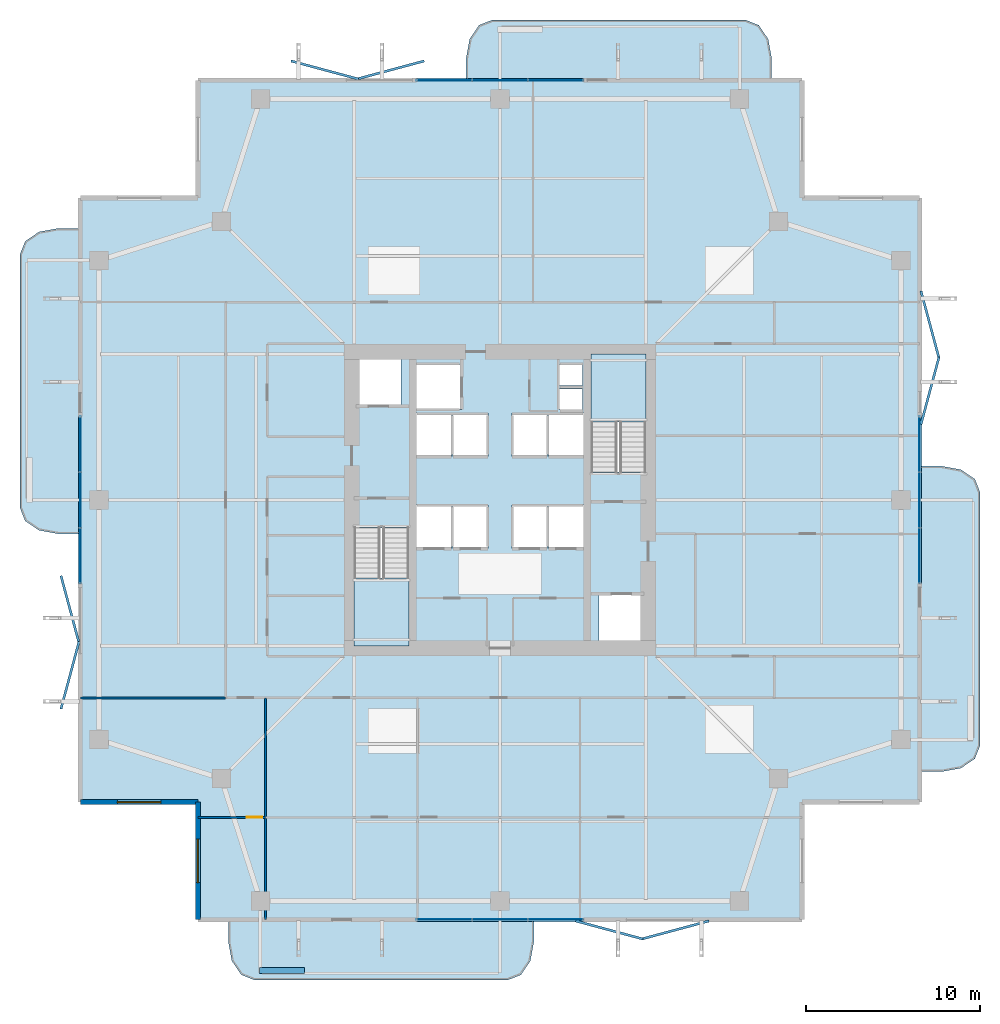
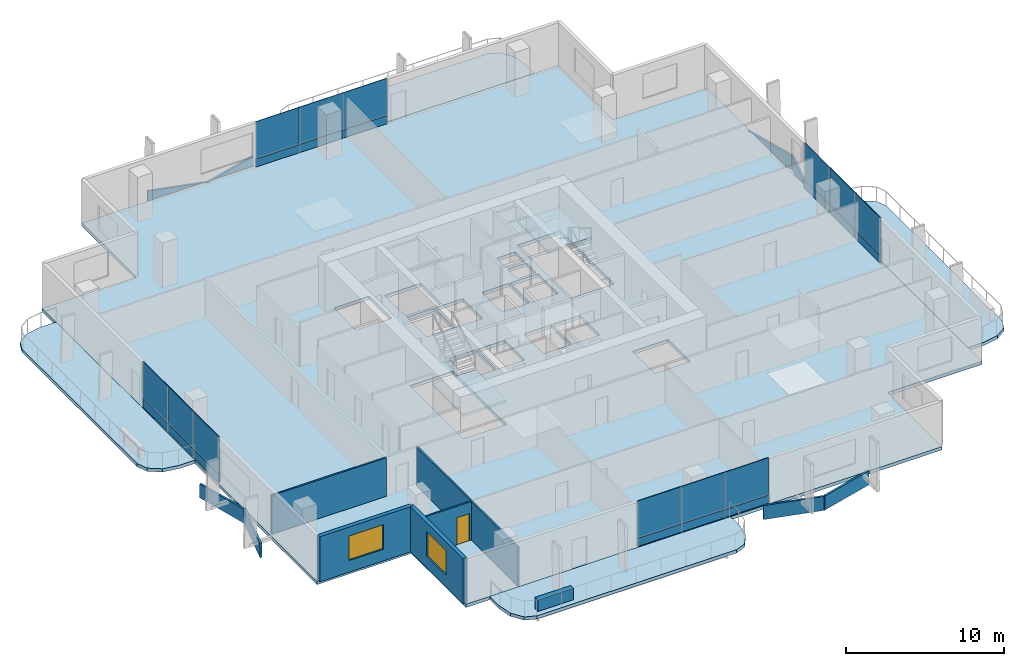
# One storey, part 18 of 25: 32 plates, 7 slabs, 6 walls, 2 windows, 1 door, 3 openings, 6 elements without a shape of their own.
"""IFC4 building model written with IfcOpenShell, lengths in metres."""

from ifc_helpers import new_model, si_unit, direction, frame, frame_2d, origin, origin_2d, place, context, subcontext, project, spatial, polyline, rectangle, outline, extrude, material, layer, layer_set, type_object, element, fill, aggregate, save


model = new_model("IFC4")

# Units and contexts
model_context = context("Model", 3, precision=1e-05, world=origin(), true_north=direction((0.0, 1.0)))
body_context = subcontext(model_context, "Body", "Model", "MODEL_VIEW")
ifc_project = project(units=[si_unit("LENGTHUNIT", "METRE"), si_unit("AREAUNIT", "SQUARE_METRE"), si_unit("VOLUMEUNIT", "CUBIC_METRE"), si_unit("PLANEANGLEUNIT", "RADIAN"), si_unit("MASSUNIT", "GRAM", prefix="KILO")], contexts=[model_context])

# Site, building, storey
site_placement = place(None, origin())
site = spatial("IfcSite", under=ifc_project, at=site_placement, CompositionType="ELEMENT")
building_placement = place(site_placement, origin())
building = spatial("IfcBuilding", under=site, at=building_placement, Name="Belovzor Exchange Tower", CompositionType="ELEMENT")
storey_placement = place(building_placement, frame((0.0, 0.0, 149.550048828125)))
storey = spatial("IfcBuildingStorey", under=building, at=storey_placement, Name="L36", CompositionType="ELEMENT", Elevation=149.550048828125)

# Slab
ifc_material_1 = material(Name="Concrete C40/50", Category="concrete")
ifc_layer_1 = layer(ifc_material_1, 0.2548828125)
ifc_layer_set_1 = layer_set([ifc_layer_1], Name="Concrete C40/50")
slab_type_1 = type_object("IfcSlabType", Name="Composite Waist Floor Deck Slab 255", PredefinedType="FLOOR", material=ifc_layer_set_1)
slab_1_placement = place(storey_placement, frame((0.0, 0.0, -0.255126953125)))
element("IfcSlab", 1, at=slab_1_placement, inside=storey, type_object=slab_type_1, Name="SL-F255 Structural Slab L36", PredefinedType="FLOOR", context=body_context, shape_type="SweptSolid", body=[
    extrude(outline(polyline([(11.39990234375, 4.5), (46.199951171875, 4.5), (46.199951171875, 11.39990234375), (53.10009765625, 11.39990234375), (53.10009765625, 46.199951171875), (46.199951171875, 46.199951171875), (46.199951171875, 53.10009765625), (11.39990234375, 53.10009765625), (11.39990234375, 46.199951171875), (4.5, 46.199951171875), (4.5, 11.39990234375), (11.39990234375, 11.39990234375), (11.39990234375, 4.5)]), holes=[polyline([(20.39990234375, 27.175048828125), (20.39990234375, 20.39990234375), (23.550048828125, 20.39990234375), (23.550048828125, 27.175048828125), (20.39990234375, 27.175048828125)]), polyline([(37.199951171875, 30.425048828125), (37.199951171875, 37.199951171875), (34.050048828125, 37.199951171875), (34.050048828125, 30.425048828125), (37.199951171875, 30.425048828125)]), polyline([(20.5, 34.199951171875), (23.10009765625, 34.199951171875), (23.10009765625, 37.0), (20.5, 37.0), (20.5, 34.199951171875)]), polyline([(34.5, 20.60009765625), (37.10009765625, 20.60009765625), (37.10009765625, 23.39990234375), (34.5, 23.39990234375), (34.5, 20.60009765625)]), polyline([(24.0, 34.0), (26.60009765625, 34.0), (26.60009765625, 36.60009765625), (24.0, 36.60009765625), (24.0, 34.0)]), polyline([(24.0, 26.0), (26.0, 26.0), (26.0, 28.5), (24.0, 28.5), (24.0, 26.0)]), polyline([(26.10009765625, 26.0), (28.10009765625, 26.0), (28.10009765625, 28.5), (26.10009765625, 28.5), (26.10009765625, 26.0)]), polyline([(29.5, 26.0), (31.5, 26.0), (31.5, 28.5), (29.5, 28.5), (29.5, 26.0)]), polyline([(31.60009765625, 26.0), (33.60009765625, 26.0), (33.60009765625, 28.5), (31.60009765625, 28.5), (31.60009765625, 26.0)]), polyline([(24.0, 31.300048828125), (26.0, 31.300048828125), (26.0, 33.800048828125), (24.0, 33.800048828125), (24.0, 31.300048828125)]), polyline([(26.10009765625, 31.300048828125), (28.10009765625, 31.300048828125), (28.10009765625, 33.800048828125), (26.10009765625, 33.800048828125), (26.10009765625, 31.300048828125)]), polyline([(29.5, 31.300048828125), (31.5, 31.300048828125), (31.5, 33.800048828125), (29.5, 33.800048828125), (29.5, 31.300048828125)]), polyline([(31.60009765625, 31.300048828125), (33.60009765625, 31.300048828125), (33.60009765625, 33.800048828125), (31.60009765625, 33.800048828125), (31.60009765625, 31.300048828125)]), polyline([(32.199951171875, 34.0), (33.550048828125, 34.0), (33.550048828125, 35.199951171875), (32.199951171875, 35.199951171875), (32.199951171875, 34.0)]), polyline([(32.199951171875, 35.39990234375), (33.550048828125, 35.39990234375), (33.550048828125, 36.60009765625), (32.199951171875, 36.60009765625), (32.199951171875, 35.39990234375)])]), origin(), (0.0, 0.0, 1.0), 0.255126953125),
])

# Curtain wall, plates
ifc_material_2 = material(Name="Anodised Aluminium Framing", Category="aluminium")
ifc_layer_2 = layer(ifc_material_2, 0.179931640625)
ifc_layer_set_2 = layer_set([ifc_layer_2], Name="Anodised Aluminium Framing")
curtain_wall_type = type_object("IfcCurtainWallType", Name="Recessed Loggia Low-Iron Triple-Glazed Curtain Wall", PredefinedType="NOTDEFINED", material=ifc_layer_set_2)
curtain_wall_1_placement = place(storey_placement, origin())
curtain_wall_1 = element("IfcCurtainWall", 2, at=curtain_wall_1_placement, inside=storey, type_object=curtain_wall_type, Name="CW3 Recessed Loggia Low-Iron Triple-Glazed Curtain Wall L36", PredefinedType="NOTDEFINED")
ifc_material_3 = material(Name="Solar-Control Triple Glazing", Category="glass")
ifc_layer_3 = layer(ifc_material_3, 0.0439453125)
ifc_layer_set_3 = layer_set([ifc_layer_3], Name="Solar-Control Triple Glazing")
plate_type_1 = type_object("IfcPlateType", Name="Insulated Solar Glazing Curtain Panel 44", PredefinedType="CURTAIN_PANEL", material=ifc_layer_set_3)
plate_1_placement = place(storey_placement, frame((32.0, 4.6298828125, 0.630859375), z_axis=(0.0, 0.0, 1.0), x_axis=(-1.0, 0.0, 0.0)))
plate_1 = element("IfcPlate", 3, at=plate_1_placement, type_object=plate_type_1, Name="GLZ-44 Glazed Curtain Panel 1", PredefinedType="CURTAIN_PANEL", context=body_context, shape_type="SweptSolid", body=[
    extrude(rectangle(XDim=3.18408203125, YDim=0.0439453125, at=origin_2d()), origin(), (0.0, 0.0, 1.0), 2.864013671875),
])
plate_2_placement = place(storey_placement, frame((28.800048828125, 4.6298828125, 0.630859375), z_axis=(0.0, 0.0, 1.0), x_axis=(-1.0, 0.0, 0.0)))
plate_2 = element("IfcPlate", 4, at=plate_2_placement, type_object=plate_type_1, Name="GLZ-44 Glazed Curtain Panel 2", PredefinedType="CURTAIN_PANEL", context=body_context, shape_type="SweptSolid", body=[
    extrude(rectangle(XDim=3.18408203125, YDim=0.0439453125, at=origin_2d()), origin(), (0.0, 0.0, 1.0), 2.864013671875),
])
plate_3_placement = place(storey_placement, frame((25.60009765625, 4.6298828125, 0.630859375), z_axis=(0.0, 0.0, 1.0), x_axis=(-1.0, 0.0, 0.0)))
plate_3 = element("IfcPlate", 5, at=plate_3_placement, type_object=plate_type_1, Name="GLZ-44 Glazed Curtain Panel 3", PredefinedType="CURTAIN_PANEL", context=body_context, shape_type="SweptSolid", body=[
    extrude(rectangle(XDim=3.18408203125, YDim=0.0439453125, at=origin_2d()), origin(), (0.0, 0.0, 1.0), 2.864013671875),
])

curtain_wall_2_placement = place(storey_placement, origin())
curtain_wall_2 = element("IfcCurtainWall", 6, at=curtain_wall_2_placement, inside=storey, type_object=curtain_wall_type, Name="CW3 Recessed Loggia Low-Iron Triple-Glazed Curtain Wall L36", PredefinedType="NOTDEFINED")
plate_4_placement = place(storey_placement, frame((25.60009765625, 52.969970703125, 0.630859375), z_axis=(0.0, 0.0, 1.0), x_axis=(1.0, 0.0, 0.0)))
plate_4 = element("IfcPlate", 7, at=plate_4_placement, type_object=plate_type_1, Name="GLZ-44 Glazed Curtain Panel 1", PredefinedType="CURTAIN_PANEL", context=body_context, shape_type="SweptSolid", body=[
    extrude(rectangle(XDim=3.18408203125, YDim=0.0439453125, at=origin_2d()), origin(), (0.0, 0.0, 1.0), 2.864013671875),
])
plate_5_placement = place(storey_placement, frame((28.800048828125, 52.969970703125, 0.630859375), z_axis=(0.0, 0.0, 1.0), x_axis=(1.0, 0.0, 0.0)))
plate_5 = element("IfcPlate", 8, at=plate_5_placement, type_object=plate_type_1, Name="GLZ-44 Glazed Curtain Panel 2", PredefinedType="CURTAIN_PANEL", context=body_context, shape_type="SweptSolid", body=[
    extrude(rectangle(XDim=3.18408203125, YDim=0.0439453125, at=origin_2d()), origin(), (0.0, 0.0, 1.0), 2.864013671875),
])
plate_6_placement = place(storey_placement, frame((32.0, 52.969970703125, 0.630859375), z_axis=(0.0, 0.0, 1.0), x_axis=(1.0, 0.0, 0.0)))
plate_6 = element("IfcPlate", 9, at=plate_6_placement, type_object=plate_type_1, Name="GLZ-44 Glazed Curtain Panel 3", PredefinedType="CURTAIN_PANEL", context=body_context, shape_type="SweptSolid", body=[
    extrude(rectangle(XDim=3.18408203125, YDim=0.0439453125, at=origin_2d()), origin(), (0.0, 0.0, 1.0), 2.864013671875),
])

curtain_wall_3_placement = place(storey_placement, origin())
curtain_wall_3 = element("IfcCurtainWall", 10, at=curtain_wall_3_placement, inside=storey, type_object=curtain_wall_type, Name="CW3 Recessed Loggia Low-Iron Triple-Glazed Curtain Wall L36", PredefinedType="NOTDEFINED")
plate_7_placement = place(storey_placement, frame((4.6298828125, 25.60009765625, 0.630859375), z_axis=(0.0, 0.0, 1.0), x_axis=(0.0, 1.0, 0.0)))
plate_7 = element("IfcPlate", 11, at=plate_7_placement, type_object=plate_type_1, Name="GLZ-44 Glazed Curtain Panel 1", PredefinedType="CURTAIN_PANEL", context=body_context, shape_type="SweptSolid", body=[
    extrude(rectangle(XDim=3.18408203125, YDim=0.0439453125, at=origin_2d()), origin(), (0.0, 0.0, 1.0), 2.864013671875),
])
plate_8_placement = place(storey_placement, frame((4.6298828125, 28.800048828125, 0.630859375), z_axis=(0.0, 0.0, 1.0), x_axis=(0.0, 1.0, 0.0)))
plate_8 = element("IfcPlate", 12, at=plate_8_placement, type_object=plate_type_1, Name="GLZ-44 Glazed Curtain Panel 2", PredefinedType="CURTAIN_PANEL", context=body_context, shape_type="SweptSolid", body=[
    extrude(rectangle(XDim=3.18408203125, YDim=0.0439453125, at=origin_2d()), origin(), (0.0, 0.0, 1.0), 2.864013671875),
])
plate_9_placement = place(storey_placement, frame((4.6298828125, 32.0, 0.630859375), z_axis=(0.0, 0.0, 1.0), x_axis=(0.0, 1.0, 0.0)))
plate_9 = element("IfcPlate", 13, at=plate_9_placement, type_object=plate_type_1, Name="GLZ-44 Glazed Curtain Panel 3", PredefinedType="CURTAIN_PANEL", context=body_context, shape_type="SweptSolid", body=[
    extrude(rectangle(XDim=3.18408203125, YDim=0.0439453125, at=origin_2d()), origin(), (0.0, 0.0, 1.0), 2.864013671875),
])

curtain_wall_4_placement = place(storey_placement, origin())
curtain_wall_4 = element("IfcCurtainWall", 14, at=curtain_wall_4_placement, inside=storey, type_object=curtain_wall_type, Name="CW3 Recessed Loggia Low-Iron Triple-Glazed Curtain Wall L36", PredefinedType="NOTDEFINED")
plate_10_placement = place(storey_placement, frame((52.969970703125, 32.0, 0.630859375), z_axis=(0.0, 0.0, 1.0), x_axis=(0.0, -1.0, 0.0)))
plate_10 = element("IfcPlate", 15, at=plate_10_placement, type_object=plate_type_1, Name="GLZ-44 Glazed Curtain Panel 1", PredefinedType="CURTAIN_PANEL", context=body_context, shape_type="SweptSolid", body=[
    extrude(rectangle(XDim=3.18408203125, YDim=0.0439453125, at=origin_2d()), origin(), (0.0, 0.0, 1.0), 2.864013671875),
])
plate_11_placement = place(storey_placement, frame((52.969970703125, 28.800048828125, 0.630859375), z_axis=(0.0, 0.0, 1.0), x_axis=(0.0, -1.0, 0.0)))
plate_11 = element("IfcPlate", 16, at=plate_11_placement, type_object=plate_type_1, Name="GLZ-44 Glazed Curtain Panel 2", PredefinedType="CURTAIN_PANEL", context=body_context, shape_type="SweptSolid", body=[
    extrude(rectangle(XDim=3.18408203125, YDim=0.0439453125, at=origin_2d()), origin(), (0.0, 0.0, 1.0), 2.864013671875),
])
plate_12_placement = place(storey_placement, frame((52.969970703125, 25.60009765625, 0.630859375), z_axis=(0.0, 0.0, 1.0), x_axis=(0.0, -1.0, 0.0)))
plate_12 = element("IfcPlate", 17, at=plate_12_placement, type_object=plate_type_1, Name="GLZ-44 Glazed Curtain Panel 3", PredefinedType="CURTAIN_PANEL", context=body_context, shape_type="SweptSolid", body=[
    extrude(rectangle(XDim=3.18408203125, YDim=0.0439453125, at=origin_2d()), origin(), (0.0, 0.0, 1.0), 2.864013671875),
])

# Plates
ifc_material_4 = material(Name="Extruded Architectural Terracotta", Category="masonry")
ifc_layer_4 = layer(ifc_material_4, 0.139892578125)
ifc_layer_set_4 = layer_set([ifc_layer_4], Name="Extruded Architectural Terracotta")
plate_type_2 = type_object("IfcPlateType", Name="Mid-Tower Folded Zigzag Terracotta Spandrel Louvre 120", PredefinedType="USERDEFINED", material=ifc_layer_set_4)
for number, where, z_axis, x_axis, name in (
    (18, (18.699951171875, 53.570068359375, -1.065185546875), (0.0, 0.0, 1.0), (0.965812803231, -0.259240485101, 0.0), "LVR-ZZ2 Zigzag Terracotta Spandrel Louvre L36 N1A"),
    (19, (22.5, 53.570068359375, -1.065185546875), (0.0, 0.0, 1.0), (0.965812803231, 0.259240485101, 0.0), "LVR-ZZ2 Zigzag Terracotta Spandrel Louvre L36 N1B"),
    (20, (4.030029296875, 18.699951171875, -1.065185546875), (0.0, 0.0, 1.0), (0.259240485101, 0.965812803231, 0.0), "LVR-ZZ2 Zigzag Terracotta Spandrel Louvre L36 W1A"),
    (21, (4.030029296875, 22.5, -1.065185546875), (0.0, 0.0, 1.0), (-0.259240485101, 0.965812803231, 0.0), "LVR-ZZ2 Zigzag Terracotta Spandrel Louvre L36 W1B"),
    (22, (35.10009765625, 4.030029296875, -1.065185546875), (0.0, 0.0, 1.0), (0.965812803231, -0.259240485101, 0.0), "LVR-ZZ2 Zigzag Terracotta Spandrel Louvre L36 S2A"),
    (23, (38.89990234375, 4.030029296875, -1.065185546875), (0.0, 0.0, 1.0), (0.965812803231, 0.259240485101, 0.0), "LVR-ZZ2 Zigzag Terracotta Spandrel Louvre L36 S2B"),
    (24, (53.570068359375, 35.10009765625, -1.065185546875), (0.0, 0.0, 1.0), (0.259240485101, 0.965812803231, 0.0), "LVR-ZZ2 Zigzag Terracotta Spandrel Louvre L36 E2A"),
    (25, (53.570068359375, 38.89990234375, -1.065185546875), (0.0, 0.0, 1.0), (-0.259240485101, 0.965812803231, 0.0), "LVR-ZZ2 Zigzag Terracotta Spandrel Louvre L36 E2B"),
):
    element("IfcPlate", number, at=place(storey_placement, frame(where, z_axis=z_axis, x_axis=x_axis)), inside=storey, type_object=plate_type_2, Name=name, ObjectType="SPANDREL_LOUVRE", PredefinedType="USERDEFINED", context=body_context, shape_type="SweptSolid", body=[
        extrude(rectangle(XDim=4.014892578125, YDim=0.139892578125, at=origin_2d()), origin(), (0.0, 0.0, 1.0), 1.080078125),
    ])

# Stair, slab
ifc_material_5 = material(Name="Concrete C40/50", Category="concrete")
stair_type = type_object("IfcStairType", Name="Reinforced Concrete Dogleg Escape Stair 1350", PredefinedType="HALF_TURN_STAIR", material=ifc_material_5)
stair_1_placement = place(storey_placement, origin())
stair_1 = element("IfcStair", 26, at=stair_1_placement, inside=storey, type_object=stair_type, Name="L36 ST-1", PredefinedType="HALF_TURN_STAIR")
ifc_material_6 = material(Name="Concrete C40/50", Category="concrete")
ifc_layer_5 = layer(ifc_material_6, 0.199951171875)
ifc_layer_set_5 = layer_set([ifc_layer_5], Name="Concrete C40/50")
slab_type_2 = type_object("IfcSlabType", Name="Reinforced Concrete Stair Half-Landing Slab 200", PredefinedType="LANDING", material=ifc_layer_set_5)
slab_2_placement = place(storey_placement, frame((0.0, 0.0, 1.675048828125)))
slab_2 = element("IfcSlab", 27, at=slab_2_placement, type_object=slab_type_2, Name="ST-1 landing 1", PredefinedType="LANDING", context=body_context, shape_type="SweptSolid", body=[
    extrude(outline(polyline([(20.39990234375, 24.300048828125), (20.39990234375, 20.39990234375), (23.550048828125, 20.39990234375), (23.550048828125, 24.300048828125), (20.39990234375, 24.300048828125)])), origin(), (0.0, 0.0, 1.0), 0.199951171875),
])
aggregate(stair_1, [slab_2])

stair_2_placement = place(storey_placement, origin())
stair_2 = element("IfcStair", 28, at=stair_2_placement, inside=storey, type_object=stair_type, Name="L36 ST-2", PredefinedType="HALF_TURN_STAIR")
slab_3_placement = place(storey_placement, frame((0.0, 0.0, 1.675048828125)))
slab_3 = element("IfcSlab", 29, at=slab_3_placement, type_object=slab_type_2, Name="ST-2 landing 1", PredefinedType="LANDING", context=body_context, shape_type="SweptSolid", body=[
    extrude(outline(polyline([(37.199951171875, 33.300048828125), (37.199951171875, 37.199951171875), (34.050048828125, 37.199951171875), (34.050048828125, 33.300048828125), (37.199951171875, 33.300048828125)])), origin(), (0.0, 0.0, 1.0), 0.199951171875),
])
aggregate(stair_2, [slab_3])

# Plate
ifc_material_7 = material(Name="Extruded Architectural Terracotta", Category="masonry")
ifc_layer_6 = layer(ifc_material_7, 0.090087890625)
ifc_layer_set_6 = layer_set([ifc_layer_6], Name="Extruded Architectural Terracotta")
plate_type_3 = type_object("IfcPlateType", Name="Terracotta Shadow-Box Spandrel Panel 90", PredefinedType="CURTAIN_PANEL", material=ifc_layer_set_6)
plate_13_placement = place(storey_placement, frame((32.0, 4.6298828125, 0.00048828125), z_axis=(0.0, 0.0, 1.0), x_axis=(-1.0, 0.0, 0.0)))
plate_13 = element("IfcPlate", 30, at=plate_13_placement, type_object=plate_type_3, Name="SPD-90 Spandrel Panel 1", PredefinedType="CURTAIN_PANEL", context=body_context, shape_type="SweptSolid", body=[
    extrude(rectangle(XDim=3.18408203125, YDim=0.090087890625, at=origin_2d()), origin(), (0.0, 0.0, 1.0), 0.626953125),
])

plate_14_placement = place(storey_placement, frame((28.800048828125, 4.6298828125, 0.00048828125), z_axis=(0.0, 0.0, 1.0), x_axis=(-1.0, 0.0, 0.0)))
plate_14 = element("IfcPlate", 31, at=plate_14_placement, type_object=plate_type_3, Name="SPD-90 Spandrel Panel 2", PredefinedType="CURTAIN_PANEL", context=body_context, shape_type="SweptSolid", body=[
    extrude(rectangle(XDim=3.18408203125, YDim=0.090087890625, at=origin_2d()), origin(), (0.0, 0.0, 1.0), 0.626953125),
])

plate_15_placement = place(storey_placement, frame((25.60009765625, 4.6298828125, 0.00048828125), z_axis=(0.0, 0.0, 1.0), x_axis=(-1.0, 0.0, 0.0)))
plate_15 = element("IfcPlate", 32, at=plate_15_placement, type_object=plate_type_3, Name="SPD-90 Spandrel Panel 3", PredefinedType="CURTAIN_PANEL", context=body_context, shape_type="SweptSolid", body=[
    extrude(rectangle(XDim=3.18408203125, YDim=0.090087890625, at=origin_2d()), origin(), (0.0, 0.0, 1.0), 0.626953125),
])

aggregate(curtain_wall_1, [plate_13, plate_1, plate_14, plate_2, plate_15, plate_3])

plate_16_placement = place(storey_placement, frame((25.60009765625, 52.969970703125, 0.00048828125), z_axis=(0.0, 0.0, 1.0), x_axis=(1.0, 0.0, 0.0)))
plate_16 = element("IfcPlate", 33, at=plate_16_placement, type_object=plate_type_3, Name="SPD-90 Spandrel Panel 1", PredefinedType="CURTAIN_PANEL", context=body_context, shape_type="SweptSolid", body=[
    extrude(rectangle(XDim=3.18408203125, YDim=0.090087890625, at=origin_2d()), origin(), (0.0, 0.0, 1.0), 0.626953125),
])

plate_17_placement = place(storey_placement, frame((28.800048828125, 52.969970703125, 0.00048828125), z_axis=(0.0, 0.0, 1.0), x_axis=(1.0, 0.0, 0.0)))
plate_17 = element("IfcPlate", 34, at=plate_17_placement, type_object=plate_type_3, Name="SPD-90 Spandrel Panel 2", PredefinedType="CURTAIN_PANEL", context=body_context, shape_type="SweptSolid", body=[
    extrude(rectangle(XDim=3.18408203125, YDim=0.090087890625, at=origin_2d()), origin(), (0.0, 0.0, 1.0), 0.626953125),
])

plate_18_placement = place(storey_placement, frame((32.0, 52.969970703125, 0.00048828125), z_axis=(0.0, 0.0, 1.0), x_axis=(1.0, 0.0, 0.0)))
plate_18 = element("IfcPlate", 35, at=plate_18_placement, type_object=plate_type_3, Name="SPD-90 Spandrel Panel 3", PredefinedType="CURTAIN_PANEL", context=body_context, shape_type="SweptSolid", body=[
    extrude(rectangle(XDim=3.18408203125, YDim=0.090087890625, at=origin_2d()), origin(), (0.0, 0.0, 1.0), 0.626953125),
])

aggregate(curtain_wall_2, [plate_16, plate_4, plate_17, plate_5, plate_18, plate_6])

plate_19_placement = place(storey_placement, frame((4.6298828125, 25.60009765625, 0.00048828125), z_axis=(0.0, 0.0, 1.0), x_axis=(0.0, 1.0, 0.0)))
plate_19 = element("IfcPlate", 36, at=plate_19_placement, type_object=plate_type_3, Name="SPD-90 Spandrel Panel 1", PredefinedType="CURTAIN_PANEL", context=body_context, shape_type="SweptSolid", body=[
    extrude(rectangle(XDim=3.18408203125, YDim=0.090087890625, at=origin_2d()), origin(), (0.0, 0.0, 1.0), 0.626953125),
])

plate_20_placement = place(storey_placement, frame((4.6298828125, 28.800048828125, 0.00048828125), z_axis=(0.0, 0.0, 1.0), x_axis=(0.0, 1.0, 0.0)))
plate_20 = element("IfcPlate", 37, at=plate_20_placement, type_object=plate_type_3, Name="SPD-90 Spandrel Panel 2", PredefinedType="CURTAIN_PANEL", context=body_context, shape_type="SweptSolid", body=[
    extrude(rectangle(XDim=3.18408203125, YDim=0.090087890625, at=origin_2d()), origin(), (0.0, 0.0, 1.0), 0.626953125),
])

plate_21_placement = place(storey_placement, frame((4.6298828125, 32.0, 0.00048828125), z_axis=(0.0, 0.0, 1.0), x_axis=(0.0, 1.0, 0.0)))
plate_21 = element("IfcPlate", 38, at=plate_21_placement, type_object=plate_type_3, Name="SPD-90 Spandrel Panel 3", PredefinedType="CURTAIN_PANEL", context=body_context, shape_type="SweptSolid", body=[
    extrude(rectangle(XDim=3.18408203125, YDim=0.090087890625, at=origin_2d()), origin(), (0.0, 0.0, 1.0), 0.626953125),
])

aggregate(curtain_wall_3, [plate_19, plate_7, plate_20, plate_8, plate_21, plate_9])

plate_22_placement = place(storey_placement, frame((52.969970703125, 32.0, 0.00048828125), z_axis=(0.0, 0.0, 1.0), x_axis=(0.0, -1.0, 0.0)))
plate_22 = element("IfcPlate", 39, at=plate_22_placement, type_object=plate_type_3, Name="SPD-90 Spandrel Panel 1", PredefinedType="CURTAIN_PANEL", context=body_context, shape_type="SweptSolid", body=[
    extrude(rectangle(XDim=3.18408203125, YDim=0.090087890625, at=origin_2d()), origin(), (0.0, 0.0, 1.0), 0.626953125),
])

plate_23_placement = place(storey_placement, frame((52.969970703125, 28.800048828125, 0.00048828125), z_axis=(0.0, 0.0, 1.0), x_axis=(0.0, -1.0, 0.0)))
plate_23 = element("IfcPlate", 40, at=plate_23_placement, type_object=plate_type_3, Name="SPD-90 Spandrel Panel 2", PredefinedType="CURTAIN_PANEL", context=body_context, shape_type="SweptSolid", body=[
    extrude(rectangle(XDim=3.18408203125, YDim=0.090087890625, at=origin_2d()), origin(), (0.0, 0.0, 1.0), 0.626953125),
])

plate_24_placement = place(storey_placement, frame((52.969970703125, 25.60009765625, 0.00048828125), z_axis=(0.0, 0.0, 1.0), x_axis=(0.0, -1.0, 0.0)))
plate_24 = element("IfcPlate", 41, at=plate_24_placement, type_object=plate_type_3, Name="SPD-90 Spandrel Panel 3", PredefinedType="CURTAIN_PANEL", context=body_context, shape_type="SweptSolid", body=[
    extrude(rectangle(XDim=3.18408203125, YDim=0.090087890625, at=origin_2d()), origin(), (0.0, 0.0, 1.0), 0.626953125),
])

aggregate(curtain_wall_4, [plate_22, plate_10, plate_23, plate_11, plate_24, plate_12])

# Slabs
ifc_material_8 = material(Name="Concrete C40/50", Category="concrete")
ifc_layer_7 = layer(ifc_material_8, 0.25)
ifc_layer_set_7 = layer_set([ifc_layer_7], Name="Concrete C40/50")
slab_type_3 = type_object("IfcSlabType", Name="Thermally Broken Planted Balcony Slab 250", PredefinedType="FLOOR", material=ifc_layer_set_7)
slab_4_placement = place(storey_placement, frame((0.0, 0.0, -0.25)))
element("IfcSlab", 42, at=slab_4_placement, inside=storey, type_object=slab_type_3, Name="SL-BAL220 Planted Balcony Loggia L36 South", PredefinedType="FLOOR", context=body_context, shape_type="SweptSolid", body=[
    extrude(outline(polyline([(13.14990234375, 4.514892578125), (13.14990234375, 3.35009765625), (13.35107421875, 2.25), (13.89990234375, 1.445068359375), (14.64990234375, 1.14990234375), (29.25, 1.14990234375), (30.0, 1.445068359375), (30.549072265625, 2.25), (30.75, 3.35009765625), (30.75, 4.514892578125), (13.14990234375, 4.514892578125)])), origin(), (0.0, 0.0, 1.0), 0.25),
])
slab_5_placement = place(storey_placement, frame((0.0, 0.0, -0.25)))
element("IfcSlab", 43, at=slab_5_placement, inside=storey, type_object=slab_type_3, Name="SL-BAL220 Planted Balcony Loggia L36 North", PredefinedType="FLOOR", context=body_context, shape_type="SweptSolid", body=[
    extrude(outline(polyline([(44.449951171875, 53.0849609375), (44.449951171875, 54.25), (44.2490234375, 55.35009765625), (43.699951171875, 56.155029296875), (42.949951171875, 56.449951171875), (28.35009765625, 56.449951171875), (27.60009765625, 56.155029296875), (27.051025390625, 55.35009765625), (26.85009765625, 54.25), (26.85009765625, 53.0849609375), (44.449951171875, 53.0849609375)])), origin(), (0.0, 0.0, 1.0), 0.25),
])
slab_6_placement = place(storey_placement, frame((0.0, 0.0, -0.25)))
element("IfcSlab", 44, at=slab_6_placement, inside=storey, type_object=slab_type_3, Name="SL-BAL220 Planted Balcony Loggia L36 East", PredefinedType="FLOOR", context=body_context, shape_type="SweptSolid", body=[
    extrude(outline(polyline([(53.0849609375, 13.14990234375), (54.25, 13.14990234375), (55.35009765625, 13.35107421875), (56.155029296875, 13.89990234375), (56.449951171875, 14.64990234375), (56.449951171875, 29.25), (56.155029296875, 30.0), (55.35009765625, 30.549072265625), (54.25, 30.75), (53.0849609375, 30.75), (53.0849609375, 13.14990234375)])), origin(), (0.0, 0.0, 1.0), 0.25),
])
slab_7_placement = place(storey_placement, frame((0.0, 0.0, -0.25)))
element("IfcSlab", 45, at=slab_7_placement, inside=storey, type_object=slab_type_3, Name="SL-BAL220 Planted Balcony Loggia L36 West", PredefinedType="FLOOR", context=body_context, shape_type="SweptSolid", body=[
    extrude(outline(polyline([(4.514892578125, 44.449951171875), (3.35009765625, 44.449951171875), (2.25, 44.2490234375), (1.445068359375, 43.699951171875), (1.14990234375, 42.949951171875), (1.14990234375, 28.35009765625), (1.445068359375, 27.60009765625), (2.25, 27.051025390625), (3.35009765625, 26.85009765625), (4.514892578125, 26.85009765625), (4.514892578125, 44.449951171875)])), origin(), (0.0, 0.0, 1.0), 0.25),
])

# Wall, opening, door
ifc_material_9 = material(Name="Acoustic Plasterboard on Galvanised Studs", Category="gypsum")
ifc_layer_8 = layer(ifc_material_9, 0.1201171875)
ifc_layer_set_8 = layer_set([ifc_layer_8], Name="Acoustic Plasterboard on Galvanised Studs")
wall_type_1 = type_object("IfcWallType", Name="Acoustic Double-Stud Partition Wall 120", PredefinedType="PARTITIONING", material=ifc_layer_set_8)
wall_1_placement = place(storey_placement, frame((11.39990234375, 10.51708984375, 0.0), z_axis=(0.0, 0.0, 1.0), x_axis=(1.0, 0.0, 0.0)))
wall_1 = element("IfcWall", 46, at=wall_1_placement, inside=storey, type_object=wall_type_1, Name="W-P120 Partition Wall W-L36-SHDIV-0", PredefinedType="PARTITIONING", context=body_context, shape_type="SweptSolid", body=[
    extrude(rectangle(XDim=3.900146484375, YDim=0.1201171875, at=frame_2d((1.9501953125, 0.0))), origin(), (0.0, 0.0, 1.0), 2.97998046875),
])
opening_1_placement = place(wall_1_placement, frame((2.800048828125, 0.0, 0.0)))
opening_1 = element("IfcOpeningElement", 47, at=opening_1_placement, cuts=wall_1, Name="Opening D-INT-090", PredefinedType="OPENING", context=body_context, shape_type="SweptSolid", body=[
    extrude(rectangle(XDim=0.89990234375, YDim=2.10009765625, at=frame_2d((0.449951171875, 1.050048828125))), frame((0.0, 0.070068359375, 0.0), z_axis=(0.0, -1.0, 0.0), x_axis=(1.0, 0.0, 0.0)), (0.0, 0.0, 1.0), 0.14013671875),
])
ifc_material_10 = material(Name="Veneered Hardwood Acoustic Leaf", Category="wood")
door_type = type_object("IfcDoorType", Name="Trading Suite Acoustic Single Door 900x2100", OperationType="NOTDEFINED", PredefinedType="DOOR", material=ifc_material_10)
door_placement = place(opening_1_placement, origin())
door = element("IfcDoor", 48, at=door_placement, inside=storey, type_object=door_type, Name="D-INT-090 Trading Suite Acoustic Single Door 900x2100", OperationType="SINGLE_SWING_LEFT", OverallHeight=2.10009765625, OverallWidth=0.89990234375, PredefinedType="DOOR", context=body_context, shape_type="SweptSolid", body=[
    extrude(rectangle(XDim=0.89990234375, YDim=2.10009765625, at=frame_2d((0.449951171875, 1.050048828125))), frame((0.0, 0.02490234375, 0.0), z_axis=(0.0, -1.0, 0.0), x_axis=(1.0, 0.0, 0.0)), (0.0, 0.0, 1.0), 0.050048828125),
])
fill(opening_1, door)

# Walls
wall_2_placement = place(storey_placement, frame((15.300048828125, 4.6298828125, 0.0), z_axis=(0.0, 0.0, 1.0), x_axis=(0.0, 1.0, 0.0)))
element("IfcWall", 49, at=wall_2_placement, inside=storey, type_object=wall_type_1, Name="W-P120 Partition Wall W-L36-SDIV-1", PredefinedType="PARTITIONING", context=body_context, shape_type="SweptSolid", body=[
    extrude(rectangle(XDim=12.77001953125, YDim=0.1201171875, at=frame_2d((6.385009765625, 0.0))), origin(), (0.0, 0.0, 1.0), 2.97998046875),
])
wall_3_placement = place(storey_placement, frame((4.6298828125, 17.39990234375, 0.0), z_axis=(0.0, 0.0, 1.0), x_axis=(1.0, 0.0, 0.0)))
element("IfcWall", 50, at=wall_3_placement, inside=storey, type_object=wall_type_1, Name="W-P120 Partition Wall W-L36-END-SW", PredefinedType="PARTITIONING", context=body_context, shape_type="SweptSolid", body=[
    extrude(rectangle(XDim=8.3701171875, YDim=0.1201171875, at=frame_2d((4.18505859375, 0.0))), origin(), (0.0, 0.0, 1.0), 2.97998046875),
])

# Wall, opening, window
ifc_material_11 = material(Name="Precast concrete C40/50", Category="concrete")
ifc_layer_9 = layer(ifc_material_11, 0.280029296875)
ifc_layer_set_9 = layer_set([ifc_layer_9], Name="Precast concrete C40/50")
wall_type_2 = type_object("IfcWallType", Name="Precast Concrete Notched Corner Frame Wall 280", PredefinedType="SOLIDWALL", material=ifc_layer_set_9)
wall_4_placement = place(storey_placement, frame((11.39990234375, 4.6298828125, 0.0), z_axis=(0.0, 0.0, 1.0), x_axis=(0.0, 1.0, 0.0)))
wall_4 = element("IfcWall", 51, at=wall_4_placement, inside=storey, type_object=wall_type_2, Name="W-CRN280 Precast Concrete Notched Corner Frame Wall 280 L36", PredefinedType="SOLIDWALL", context=body_context, shape_type="SweptSolid", body=[
    extrude(rectangle(XDim=6.77001953125, YDim=0.280029296875, at=frame_2d((3.385009765625, 0.0))), origin(), (0.0, 0.0, 1.0), 3.494873046875),
])
opening_2_placement = place(wall_4_placement, frame((2.135009765625, 0.0, 0.89990234375)))
opening_2 = element("IfcOpeningElement", 52, at=opening_2_placement, cuts=wall_4, Name="Opening WN-CRN250", PredefinedType="OPENING", context=body_context, shape_type="SweptSolid", body=[
    extrude(rectangle(XDim=2.5, YDim=1.89990234375, at=frame_2d((1.25, 0.949951171875))), frame((0.0, 0.14990234375, 0.0), z_axis=(0.0, -1.0, 0.0), x_axis=(1.0, 0.0, 0.0)), (0.0, 0.0, 1.0), 0.300048828125),
])
ifc_material_12 = material(Name="Thermally Broken Aluminium and Triple Glazing", Category="aluminium")
window_type = type_object("IfcWindowType", Name="Streamline Moderne Corner Wrap Ribbon Window 2500x1900", PartitioningType="SINGLE_PANEL", PredefinedType="WINDOW", material=ifc_material_12)
window_1_placement = place(opening_2_placement, origin())
window_1 = element("IfcWindow", 53, at=window_1_placement, inside=storey, type_object=window_type, Name="WN-CRN250 Streamline Moderne Corner Wrap Ribbon Window 2500x1900", OverallHeight=1.89990234375, OverallWidth=2.5, PartitioningType="SINGLE_PANEL", PredefinedType="WINDOW", context=body_context, shape_type="SweptSolid", body=[
    extrude(rectangle(XDim=2.5, YDim=1.89990234375, at=frame_2d((1.25, 0.949951171875))), frame((0.0, 0.030029296875, 0.0), z_axis=(0.0, -1.0, 0.0), x_axis=(1.0, 0.0, 0.0)), (0.0, 0.0, 1.0), 0.06005859375),
])
fill(opening_2, window_1)

wall_5_placement = place(storey_placement, frame((11.39990234375, 11.39990234375, 0.0), z_axis=(0.0, 0.0, 1.0), x_axis=(-1.0, 0.0, 0.0)))
wall_5 = element("IfcWall", 54, at=wall_5_placement, inside=storey, type_object=wall_type_2, Name="W-CRN280 Precast Concrete Notched Corner Frame Wall 280 L36", PredefinedType="SOLIDWALL", context=body_context, shape_type="SweptSolid", body=[
    extrude(rectangle(XDim=6.77001953125, YDim=0.280029296875, at=frame_2d((3.385009765625, 0.0))), origin(), (0.0, 0.0, 1.0), 3.494873046875),
])
opening_3_placement = place(wall_5_placement, frame((2.135009765625, 0.0, 0.89990234375)))
opening_3 = element("IfcOpeningElement", 55, at=opening_3_placement, cuts=wall_5, Name="Opening WN-CRN250", PredefinedType="OPENING", context=body_context, shape_type="SweptSolid", body=[
    extrude(rectangle(XDim=2.5, YDim=1.89990234375, at=frame_2d((1.25, 0.949951171875))), frame((0.0, 0.14990234375, 0.0), z_axis=(0.0, -1.0, 0.0), x_axis=(1.0, 0.0, 0.0)), (0.0, 0.0, 1.0), 0.300048828125),
])
window_2_placement = place(opening_3_placement, origin())
window_2 = element("IfcWindow", 56, at=window_2_placement, inside=storey, type_object=window_type, Name="WN-CRN250 Streamline Moderne Corner Wrap Ribbon Window 2500x1900", OverallHeight=1.89990234375, OverallWidth=2.5, PartitioningType="SINGLE_PANEL", PredefinedType="WINDOW", context=body_context, shape_type="SweptSolid", body=[
    extrude(rectangle(XDim=2.5, YDim=1.89990234375, at=frame_2d((1.25, 0.949951171875))), frame((0.0, 0.030029296875, 0.0), z_axis=(0.0, -1.0, 0.0), x_axis=(1.0, 0.0, 0.0)), (0.0, 0.0, 1.0), 0.06005859375),
])
fill(opening_3, window_2)

# Wall
ifc_material_13 = material(Name="Precast concrete C40/50", Category="concrete")
ifc_layer_10 = layer(ifc_material_13, 0.35009765625)
ifc_layer_set_10 = layer_set([ifc_layer_10], Name="Precast concrete C40/50")
wall_type_3 = type_object("IfcWallType", Name="Precast Concrete Structural Tree Planter Trough 350", PredefinedType="PARAPET", material=ifc_layer_set_10)
wall_6_placement = place(storey_placement, frame((14.949951171875, 1.699951171875, 0.0), z_axis=(0.0, 0.0, 1.0), x_axis=(1.0, 0.0, 0.0)))
element("IfcWall", 57, at=wall_6_placement, inside=storey, type_object=wall_type_3, Name="PT-350 Precast Concrete Structural Tree Planter Trough 350 L36", PredefinedType="PARAPET", context=body_context, shape_type="SweptSolid", body=[
    extrude(rectangle(XDim=2.60009765625, YDim=0.35009765625, at=frame_2d((1.300048828125, 0.0))), origin(), (0.0, 0.0, 1.0), 0.89990234375),
])

save(model, "model.ifc")
